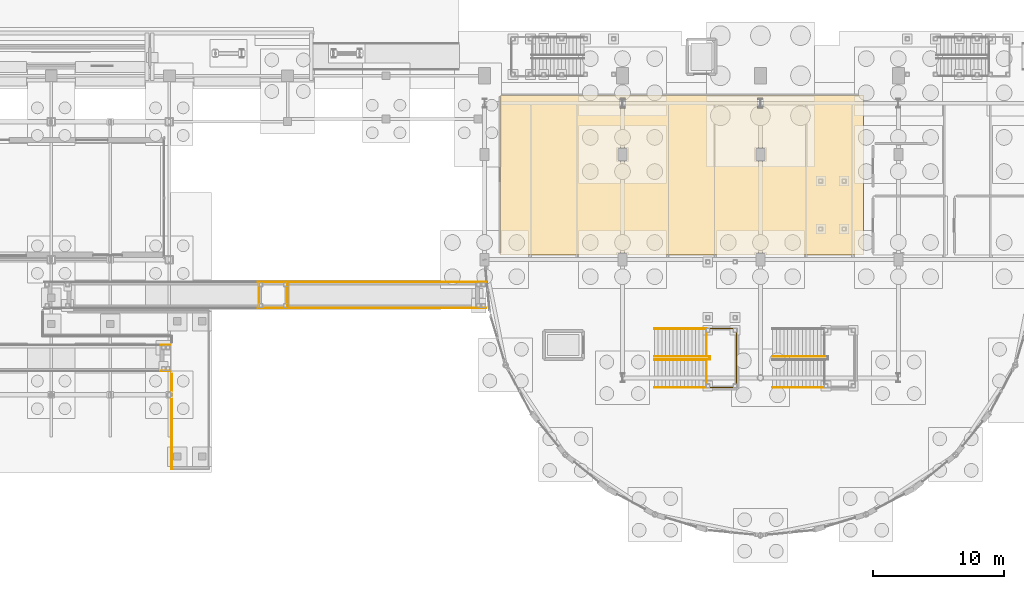
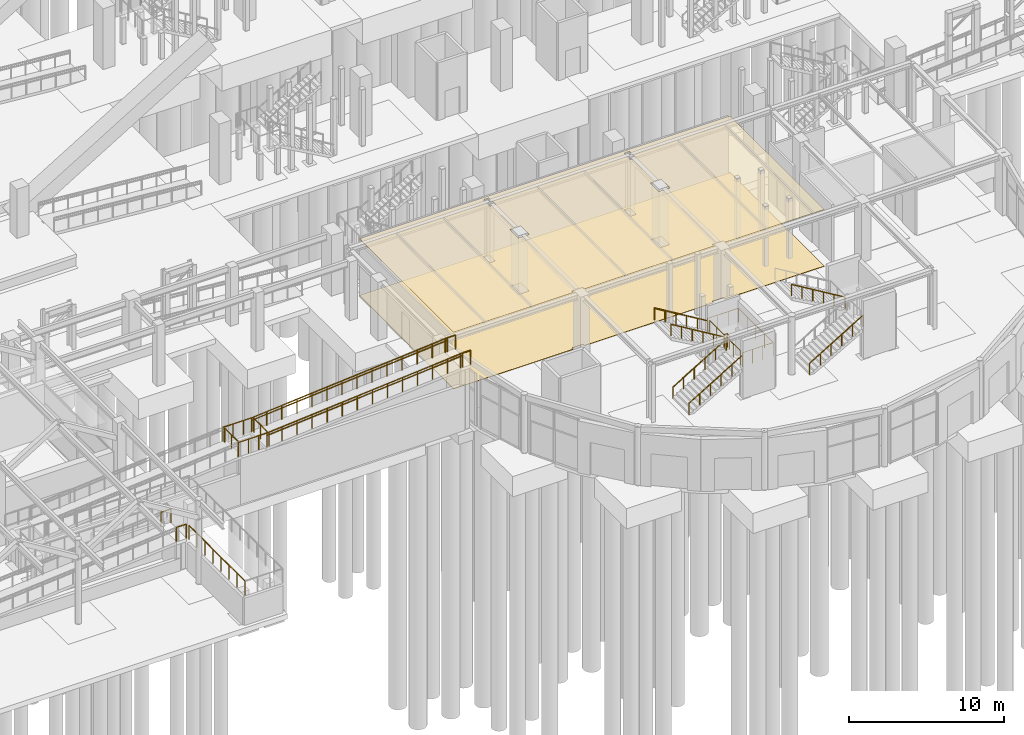
# One storey, part 151 of 160: 21 railings, 2 coverings.
"""IFC4 building model written with IfcOpenShell, lengths in metres."""

from ifc_helpers import new_model, si_unit, direction, frame, origin, origin_2d, place, context, subcontext, project, spatial, polyline, circle, outline, extrude, material, layer, layer_set, type_object, element, save


model = new_model("IFC4")

# Units and contexts
model_context = context("Model", 3, precision=1e-05, world=origin(), true_north=direction((0.0, 1.0)))
body_context = subcontext(model_context, "Body", "Model", "MODEL_VIEW")
ifc_project = project(units=[si_unit("LENGTHUNIT", "METRE"), si_unit("AREAUNIT", "SQUARE_METRE"), si_unit("VOLUMEUNIT", "CUBIC_METRE"), si_unit("PLANEANGLEUNIT", "RADIAN"), si_unit("MASSUNIT", "GRAM", prefix="KILO")], contexts=[model_context])

# Site, building, storey
site_placement = place(None, origin())
site = spatial("IfcSite", under=ifc_project, at=site_placement, CompositionType="ELEMENT")
building_placement = place(site_placement, origin())
building = spatial("IfcBuilding", under=site, at=building_placement, Name="Marlcrest Central Station", CompositionType="ELEMENT")
storey_placement = place(building_placement, origin())
storey = spatial("IfcBuildingStorey", under=building, at=storey_placement, Name="L00", CompositionType="ELEMENT", Elevation=0.0)

# Coverings
ifc_material_1 = material(Name="Perforated acoustic mineral-fibre ceiling")
ifc_layer_1 = layer(ifc_material_1, 0.02490234375, Name="CV-CLG")
ifc_layer_set_1 = layer_set([ifc_layer_1], Name="Perforated acoustic mineral-fibre ceiling")
covering_type_1 = type_object("IfcCoveringType", Name="CV-CLG", PredefinedType="CEILING", material=ifc_layer_set_1)
covering_1_placement = place(storey_placement, frame((0.0, 0.0, 4.47509765625)))
element("IfcCovering", 1, at=covering_1_placement, inside=storey, type_object=covering_type_1, Name="cov-clg-0030", PredefinedType="CEILING", context=body_context, shape_type="SweptSolid", body=[
    extrude(outline(polyline([(108.409912109375, 23.034912109375), (107.590087890625, 23.034912109375), (107.590087890625, 22.860107421875), (97.909912109375, 22.860107421875), (97.909912109375, 23.034912109375), (97.090087890625, 23.034912109375), (97.090087890625, 22.860107421875), (88.159912109375, 22.860107421875), (88.159912109375, 35.0400390625), (115.840087890625, 35.0400390625), (115.840087890625, 22.860107421875), (108.409912109375, 22.860107421875), (108.409912109375, 23.034912109375)]), holes=[polyline([(97.909912109375, 29.965087890625), (97.909912109375, 31.034912109375), (97.090087890625, 31.034912109375), (97.090087890625, 29.965087890625), (97.909912109375, 29.965087890625)]), polyline([(107.590087890625, 29.965087890625), (108.409912109375, 29.965087890625), (108.409912109375, 31.034912109375), (107.590087890625, 31.034912109375), (107.590087890625, 29.965087890625)]), polyline([(97.2900390625, 34.81005859375), (97.2900390625, 33.989990234375), (97.7099609375, 33.989990234375), (97.7099609375, 34.81005859375), (97.2900390625, 34.81005859375)]), polyline([(108.2099609375, 34.81005859375), (107.7900390625, 34.81005859375), (107.7900390625, 33.989990234375), (108.2099609375, 33.989990234375), (108.2099609375, 34.81005859375)])]), origin(), (0.0, 0.0, 1.0), 0.02490234375),
])
ifc_material_2 = material(Name="Polished terrazzo and tactile transit flooring")
ifc_layer_2 = layer(ifc_material_2, 0.030029296875, Name="CV-FLR")
ifc_layer_set_2 = layer_set([ifc_layer_2], Name="Polished terrazzo and tactile transit flooring")
covering_type_2 = type_object("IfcCoveringType", Name="CV-FLR", PredefinedType="FLOORING", material=ifc_layer_set_2)
covering_2_placement = place(storey_placement, origin())
element("IfcCovering", 2, at=covering_2_placement, inside=storey, type_object=covering_type_2, Name="cov-flr-0031", PredefinedType="FLOORING", context=body_context, shape_type="SweptSolid", body=[
    extrude(outline(polyline([(108.409912109375, 23.034912109375), (107.590087890625, 23.034912109375), (107.590087890625, 22.860107421875), (97.909912109375, 22.860107421875), (97.909912109375, 23.034912109375), (97.090087890625, 23.034912109375), (97.090087890625, 22.860107421875), (88.159912109375, 22.860107421875), (88.159912109375, 35.0400390625), (115.840087890625, 35.0400390625), (115.840087890625, 22.860107421875), (108.409912109375, 22.860107421875), (108.409912109375, 23.034912109375)]), holes=[polyline([(97.909912109375, 29.965087890625), (97.909912109375, 31.034912109375), (97.090087890625, 31.034912109375), (97.090087890625, 29.965087890625), (97.909912109375, 29.965087890625)]), polyline([(107.590087890625, 29.965087890625), (108.409912109375, 29.965087890625), (108.409912109375, 31.034912109375), (107.590087890625, 31.034912109375), (107.590087890625, 29.965087890625)]), polyline([(97.2900390625, 34.81005859375), (97.2900390625, 33.989990234375), (97.7099609375, 33.989990234375), (97.7099609375, 34.81005859375), (97.2900390625, 34.81005859375)]), polyline([(108.2099609375, 34.81005859375), (107.7900390625, 34.81005859375), (107.7900390625, 33.989990234375), (108.2099609375, 33.989990234375), (108.2099609375, 34.81005859375)])]), origin(), (0.0, 0.0, 1.0), 0.030029296875),
])

# Railings
ifc_material_3 = material(Name="Galvanized painted steel balustrade", Category="steel")
railing_type_1 = type_object("IfcRailingType", Name="GR-01", PredefinedType="GUARDRAIL", material=ifc_material_3)
for number, where, name in (
    (3, (62.35009765625, 14.010009765625, 2.39990234375), "hr-L00-00288"),
    (4, (62.35009765625, 15.989990234375, 2.39990234375), "hr-L00-00289"),
):
    element("IfcRailing", number, at=place(storey_placement, frame(where)), inside=storey, type_object=railing_type_1, Name=name, PredefinedType="GUARDRAIL", context=body_context, shape_type="SweptSolid", body=[
        extrude(circle(Radius=0.02392578125, at=origin_2d()), frame((0.0, 0.0, 1.09619140625), z_axis=(1.0, 0.0, 0.0), x_axis=(0.0, 1.0, 0.0)), (0.0, 0.0, 1.0), 0.75),
        extrude(circle(Radius=0.02099609375, at=origin_2d()), origin(), (0.0, 0.0, 1.0), 1.072021484375),
        extrude(circle(Radius=0.02099609375, at=origin_2d()), frame((0.75, 0.0, 0.0)), (0.0, 0.0, 1.0), 1.072021484375),
    ])
for number, where, name in (
    (5, (69.75, 18.81005859375, 3.60009765625), "hr-L00-00300"),
    (6, (69.75, 20.7900390625, 3.60009765625), "hr-L00-00301"),
):
    element("IfcRailing", number, at=place(storey_placement, frame(where)), inside=storey, type_object=railing_type_1, Name=name, PredefinedType="GUARDRAIL", context=body_context, shape_type="SweptSolid", body=[
        extrude(circle(Radius=0.02392578125, at=origin_2d()), frame((0.0, 0.0, 1.09619140625), z_axis=(1.0, 0.0, 0.0), x_axis=(0.0, 1.0, 0.0)), (0.0, 0.0, 1.0), 2.300048828125),
        extrude(circle(Radius=0.02099609375, at=origin_2d()), origin(), (0.0, 0.0, 1.0), 1.072021484375),
        extrude(circle(Radius=0.02099609375, at=origin_2d()), frame((0.7666015625, 0.0, 0.0)), (0.0, 0.0, 1.0), 1.072021484375),
        extrude(circle(Radius=0.02099609375, at=origin_2d()), frame((1.533447265625, 0.0, 0.0)), (0.0, 0.0, 1.0), 1.072021484375),
        extrude(circle(Radius=0.02099609375, at=origin_2d()), frame((2.300048828125, 0.0, 0.0)), (0.0, 0.0, 1.0), 1.072021484375),
    ])
for number, where, name in (
    (7, (86.35009765625, 18.81005859375, 4.800048828125), "hr-L00-00302"),
    (8, (86.35009765625, 20.7900390625, 4.800048828125), "hr-L00-00303"),
):
    element("IfcRailing", number, at=place(storey_placement, frame(where)), inside=storey, type_object=railing_type_1, Name=name, PredefinedType="GUARDRAIL", context=body_context, shape_type="SweptSolid", body=[
        extrude(circle(Radius=0.02392578125, at=origin_2d()), frame((0.0, 0.0, 1.09619140625), z_axis=(1.0, 0.0, 0.0), x_axis=(0.0, 1.0, 0.0)), (0.0, 0.0, 1.0), 0.75),
        extrude(circle(Radius=0.02099609375, at=origin_2d()), origin(), (0.0, 0.0, 1.0), 1.072021484375),
        extrude(circle(Radius=0.02099609375, at=origin_2d()), frame((0.75, 0.0, 0.0)), (0.0, 0.0, 1.0), 1.072021484375),
    ])
railing_1_placement = place(storey_placement, frame((71.89990234375, 18.81005859375, 3.60009765625)))
element("IfcRailing", 9, at=railing_1_placement, inside=storey, type_object=railing_type_1, Name="hr-L00-00309", PredefinedType="GUARDRAIL", context=body_context, shape_type="SweptSolid", body=[
    extrude(circle(Radius=0.02392578125, at=origin_2d()), frame((0.0, 0.0, 1.09619140625), z_axis=(0.996639590384, 0.0, 0.081911701728), x_axis=(0.0, 1.0, 0.0)), (0.0, 0.0, 1.0), 14.6494140625),
    extrude(circle(Radius=0.02099609375, at=origin_2d()), origin(), (0.0, 0.0, 1.0), 1.072021484375),
    extrude(circle(Radius=0.02099609375, at=origin_2d()), frame((1.123046875, 0.0, 0.09228515625)), (0.0, 0.0, 1.0), 1.072021484375),
    extrude(circle(Radius=0.02099609375, at=origin_2d()), frame((2.24609375, 0.0, 0.1845703125)), (0.0, 0.0, 1.0), 1.072021484375),
    extrude(circle(Radius=0.02099609375, at=origin_2d()), frame((3.369140625, 0.0, 0.27685546875)), (0.0, 0.0, 1.0), 1.072021484375),
    extrude(circle(Radius=0.02099609375, at=origin_2d()), frame((4.492431640625, 0.0, 0.369140625)), (0.0, 0.0, 1.0), 1.072021484375),
    extrude(circle(Radius=0.02099609375, at=origin_2d()), frame((5.615478515625, 0.0, 0.46142578125)), (0.0, 0.0, 1.0), 1.072021484375),
    extrude(circle(Radius=0.02099609375, at=origin_2d()), frame((6.738525390625, 0.0, 0.5537109375)), (0.0, 0.0, 1.0), 1.072021484375),
    extrude(circle(Radius=0.02099609375, at=origin_2d()), frame((7.861572265625, 0.0, 0.646240234375)), (0.0, 0.0, 1.0), 1.072021484375),
    extrude(circle(Radius=0.02099609375, at=origin_2d()), frame((8.984619140625, 0.0, 0.738525390625)), (0.0, 0.0, 1.0), 1.072021484375),
    extrude(circle(Radius=0.02099609375, at=origin_2d()), frame((10.107666015625, 0.0, 0.830810546875)), (0.0, 0.0, 1.0), 1.072021484375),
    extrude(circle(Radius=0.02099609375, at=origin_2d()), frame((11.23095703125, 0.0, 0.923095703125)), (0.0, 0.0, 1.0), 1.072021484375),
    extrude(circle(Radius=0.02099609375, at=origin_2d()), frame((12.35400390625, 0.0, 1.015380859375)), (0.0, 0.0, 1.0), 1.072021484375),
    extrude(circle(Radius=0.02099609375, at=origin_2d()), frame((13.47705078125, 0.0, 1.107666015625)), (0.0, 0.0, 1.0), 1.072021484375),
    extrude(circle(Radius=0.02099609375, at=origin_2d()), frame((14.60009765625, 0.0, 1.199951171875)), (0.0, 0.0, 1.0), 1.072021484375),
])
railing_2_placement = place(storey_placement, frame((71.89990234375, 20.7900390625, 3.60009765625)))
element("IfcRailing", 10, at=railing_2_placement, inside=storey, type_object=railing_type_1, Name="hr-L00-00311", PredefinedType="GUARDRAIL", context=body_context, shape_type="SweptSolid", body=[
    extrude(circle(Radius=0.02392578125, at=origin_2d()), frame((0.0, 0.0, 1.09619140625), z_axis=(0.996639590384, 0.0, 0.081911701728), x_axis=(0.0, 1.0, 0.0)), (0.0, 0.0, 1.0), 14.6494140625),
    extrude(circle(Radius=0.02099609375, at=origin_2d()), origin(), (0.0, 0.0, 1.0), 1.072021484375),
    extrude(circle(Radius=0.02099609375, at=origin_2d()), frame((1.123046875, 0.0, 0.09228515625)), (0.0, 0.0, 1.0), 1.072021484375),
    extrude(circle(Radius=0.02099609375, at=origin_2d()), frame((2.24609375, 0.0, 0.1845703125)), (0.0, 0.0, 1.0), 1.072021484375),
    extrude(circle(Radius=0.02099609375, at=origin_2d()), frame((3.369140625, 0.0, 0.27685546875)), (0.0, 0.0, 1.0), 1.072021484375),
    extrude(circle(Radius=0.02099609375, at=origin_2d()), frame((4.492431640625, 0.0, 0.369140625)), (0.0, 0.0, 1.0), 1.072021484375),
    extrude(circle(Radius=0.02099609375, at=origin_2d()), frame((5.615478515625, 0.0, 0.46142578125)), (0.0, 0.0, 1.0), 1.072021484375),
    extrude(circle(Radius=0.02099609375, at=origin_2d()), frame((6.738525390625, 0.0, 0.5537109375)), (0.0, 0.0, 1.0), 1.072021484375),
    extrude(circle(Radius=0.02099609375, at=origin_2d()), frame((7.861572265625, 0.0, 0.646240234375)), (0.0, 0.0, 1.0), 1.072021484375),
    extrude(circle(Radius=0.02099609375, at=origin_2d()), frame((8.984619140625, 0.0, 0.738525390625)), (0.0, 0.0, 1.0), 1.072021484375),
    extrude(circle(Radius=0.02099609375, at=origin_2d()), frame((10.107666015625, 0.0, 0.830810546875)), (0.0, 0.0, 1.0), 1.072021484375),
    extrude(circle(Radius=0.02099609375, at=origin_2d()), frame((11.23095703125, 0.0, 0.923095703125)), (0.0, 0.0, 1.0), 1.072021484375),
    extrude(circle(Radius=0.02099609375, at=origin_2d()), frame((12.35400390625, 0.0, 1.015380859375)), (0.0, 0.0, 1.0), 1.072021484375),
    extrude(circle(Radius=0.02099609375, at=origin_2d()), frame((13.47705078125, 0.0, 1.107666015625)), (0.0, 0.0, 1.0), 1.072021484375),
    extrude(circle(Radius=0.02099609375, at=origin_2d()), frame((14.60009765625, 0.0, 1.199951171875)), (0.0, 0.0, 1.0), 1.072021484375),
])
railing_3_placement = place(storey_placement, frame((63.179931640625, 6.56005859375, 2.39990234375)))
element("IfcRailing", 11, at=railing_3_placement, inside=storey, type_object=railing_type_1, Name="hr-L00-00371", PredefinedType="GUARDRAIL", context=body_context, shape_type="SweptSolid", body=[
    extrude(circle(Radius=0.02392578125, at=origin_2d()), frame((0.0, 0.0, 1.09619140625), z_axis=(0.0, 1.0, 0.0), x_axis=(-1.0, 0.0, 0.0)), (0.0, 0.0, 1.0), 7.239990234375),
    extrude(circle(Radius=0.02099609375, at=origin_2d()), origin(), (0.0, 0.0, 1.0), 1.072021484375),
    extrude(circle(Radius=0.02099609375, at=origin_2d()), frame((0.0, 1.0341796875, 0.0)), (0.0, 0.0, 1.0), 1.072021484375),
    extrude(circle(Radius=0.02099609375, at=origin_2d()), frame((0.0, 2.068603515625, 0.0)), (0.0, 0.0, 1.0), 1.072021484375),
    extrude(circle(Radius=0.02099609375, at=origin_2d()), frame((0.0, 3.102783203125, 0.0)), (0.0, 0.0, 1.0), 1.072021484375),
    extrude(circle(Radius=0.02099609375, at=origin_2d()), frame((0.0, 4.13720703125, 0.0)), (0.0, 0.0, 1.0), 1.072021484375),
    extrude(circle(Radius=0.02099609375, at=origin_2d()), frame((0.0, 5.17138671875, 0.0)), (0.0, 0.0, 1.0), 1.072021484375),
    extrude(circle(Radius=0.02099609375, at=origin_2d()), frame((0.0, 6.205810546875, 0.0)), (0.0, 0.0, 1.0), 1.072021484375),
    extrude(circle(Radius=0.02099609375, at=origin_2d()), frame((0.0, 7.239990234375, 0.0)), (0.0, 0.0, 1.0), 1.072021484375),
])
railing_4_placement = place(storey_placement, frame((69.81005859375, 18.949951171875, 3.60009765625)))
element("IfcRailing", 12, at=railing_4_placement, inside=storey, type_object=railing_type_1, Name="hr-L00-00612", PredefinedType="GUARDRAIL", context=body_context, shape_type="SweptSolid", body=[
    extrude(circle(Radius=0.02392578125, at=origin_2d()), frame((0.0, 0.0, 1.09619140625), z_axis=(0.0, 1.0, 0.0), x_axis=(-1.0, 0.0, 0.0)), (0.0, 0.0, 1.0), 1.699951171875),
    extrude(circle(Radius=0.02099609375, at=origin_2d()), origin(), (0.0, 0.0, 1.0), 1.072021484375),
    extrude(circle(Radius=0.02099609375, at=origin_2d()), frame((0.0, 0.85009765625, 0.0)), (0.0, 0.0, 1.0), 1.072021484375),
    extrude(circle(Radius=0.02099609375, at=origin_2d()), frame((0.0, 1.699951171875, 0.0)), (0.0, 0.0, 1.0), 1.072021484375),
])
railing_5_placement = place(storey_placement, frame((71.989990234375, 20.64990234375, 3.60009765625)))
element("IfcRailing", 13, at=railing_5_placement, inside=storey, type_object=railing_type_1, Name="hr-L00-00613", PredefinedType="GUARDRAIL", context=body_context, shape_type="SweptSolid", body=[
    extrude(circle(Radius=0.02392578125, at=origin_2d()), frame((0.0, 0.0, 1.09619140625), z_axis=(0.0, -1.0, 0.0), x_axis=(1.0, 0.0, 0.0)), (0.0, 0.0, 1.0), 1.699951171875),
    extrude(circle(Radius=0.02099609375, at=origin_2d()), origin(), (0.0, 0.0, 1.0), 1.072021484375),
    extrude(circle(Radius=0.02099609375, at=origin_2d()), frame((0.0, -0.85009765625, 0.0)), (0.0, 0.0, 1.0), 1.072021484375),
    extrude(circle(Radius=0.02099609375, at=origin_2d()), frame((0.0, -1.699951171875, 0.0)), (0.0, 0.0, 1.0), 1.072021484375),
])
ifc_material_4 = material(Name="Stainless steel and laminated glass concourse balustrade", Category="steel")
railing_type_2 = type_object("IfcRailingType", Name="GR-02", PredefinedType="BALUSTRADE", material=ifc_material_4)
railing_6_placement = place(storey_placement, frame((103.8701171875, 12.760009765625, 2.39990234375)))
element("IfcRailing", 14, at=railing_6_placement, inside=storey, type_object=railing_type_2, Name="hr-L00-00175", PredefinedType="BALUSTRADE", context=body_context, shape_type="SweptSolid", body=[
    extrude(circle(Radius=0.02392578125, at=origin_2d()), frame((0.0, 0.0, 1.09619140625), z_axis=(1.0, 0.0, 0.0), x_axis=(0.0, 1.0, 0.0)), (0.0, 0.0, 1.0), 2.31982421875),
    extrude(circle(Radius=0.02392578125, at=origin_2d()), frame((2.31982421875, 0.0, 1.09619140625), z_axis=(0.0, 1.0, 0.0), x_axis=(-1.0, 0.0, 0.0)), (0.0, 0.0, 1.0), 4.47998046875),
    extrude(circle(Radius=0.02392578125, at=origin_2d()), frame((2.31982421875, 4.47998046875, 1.09619140625), z_axis=(-1.0, 0.0, 0.0), x_axis=(0.0, -1.0, 0.0)), (0.0, 0.0, 1.0), 2.31982421875),
    extrude(circle(Radius=0.02099609375, at=origin_2d()), origin(), (0.0, 0.0, 1.0), 1.072021484375),
    extrude(circle(Radius=0.02099609375, at=origin_2d()), frame((0.773193359375, 0.0, 0.0)), (0.0, 0.0, 1.0), 1.072021484375),
    extrude(circle(Radius=0.02099609375, at=origin_2d()), frame((1.546630859375, 0.0, 0.0)), (0.0, 0.0, 1.0), 1.072021484375),
    extrude(circle(Radius=0.02099609375, at=origin_2d()), frame((2.31982421875, 0.0, 0.0)), (0.0, 0.0, 1.0), 1.072021484375),
    extrude(circle(Radius=0.02099609375, at=origin_2d()), frame((2.31982421875, 1.1201171875, 0.0)), (0.0, 0.0, 1.0), 1.072021484375),
    extrude(circle(Radius=0.02099609375, at=origin_2d()), frame((2.31982421875, 2.239990234375, 0.0)), (0.0, 0.0, 1.0), 1.072021484375),
    extrude(circle(Radius=0.02099609375, at=origin_2d()), frame((2.31982421875, 3.35986328125, 0.0)), (0.0, 0.0, 1.0), 1.072021484375),
    extrude(circle(Radius=0.02099609375, at=origin_2d()), frame((2.31982421875, 4.47998046875, 0.0)), (0.0, 0.0, 1.0), 1.072021484375),
    extrude(circle(Radius=0.02099609375, at=origin_2d()), frame((1.546630859375, 4.47998046875, 0.0)), (0.0, 0.0, 1.0), 1.072021484375),
    extrude(circle(Radius=0.02099609375, at=origin_2d()), frame((0.773193359375, 4.47998046875, 0.0)), (0.0, 0.0, 1.0), 1.072021484375),
    extrude(circle(Radius=0.02099609375, at=origin_2d()), frame((0.0, 4.47998046875, 0.0)), (0.0, 0.0, 1.0), 1.072021484375),
])
railing_7_placement = place(storey_placement, frame((103.889892578125, 13.010009765625, 2.39990234375)))
element("IfcRailing", 15, at=railing_7_placement, inside=storey, type_object=railing_type_2, Name="hr-L00-00589", PredefinedType="BALUSTRADE", context=body_context, shape_type="SweptSolid", body=[
    extrude(circle(Radius=0.02392578125, at=origin_2d()), frame((0.0, 0.0, 1.09619140625), z_axis=(0.0, 1.0, 0.0), x_axis=(-1.0, 0.0, 0.0)), (0.0, 0.0, 1.0), 1.869873046875),
    extrude(circle(Radius=0.02392578125, at=origin_2d()), frame((0.0, 1.869873046875, 1.09619140625), z_axis=(1.0, 0.0, 0.0), x_axis=(0.0, 1.0, 0.0)), (0.0, 0.0, 1.0), 0.25),
    extrude(circle(Radius=0.02392578125, at=origin_2d()), frame((0.25, 1.869873046875, 1.09619140625), z_axis=(0.0, 1.0, 0.0), x_axis=(-1.0, 0.0, 0.0)), (0.0, 0.0, 1.0), 0.240234375),
    extrude(circle(Radius=0.02392578125, at=origin_2d()), frame((0.25, 2.110107421875, 1.09619140625), z_axis=(-1.0, 0.0, 0.0), x_axis=(0.0, -1.0, 0.0)), (0.0, 0.0, 1.0), 0.25),
    extrude(circle(Radius=0.02392578125, at=origin_2d()), frame((0.0, 2.110107421875, 1.09619140625), z_axis=(0.0, 1.0, 0.0), x_axis=(-1.0, 0.0, 0.0)), (0.0, 0.0, 1.0), 1.869873046875),
    extrude(circle(Radius=0.02099609375, at=origin_2d()), origin(), (0.0, 0.0, 1.0), 1.072021484375),
    extrude(circle(Radius=0.02099609375, at=origin_2d()), frame((0.0, 0.93505859375, 0.0)), (0.0, 0.0, 1.0), 1.072021484375),
    extrude(circle(Radius=0.02099609375, at=origin_2d()), frame((0.0, 1.869873046875, 0.0)), (0.0, 0.0, 1.0), 1.072021484375),
    extrude(circle(Radius=0.02099609375, at=origin_2d()), frame((0.25, 1.869873046875, 0.0)), (0.0, 0.0, 1.0), 1.072021484375),
    extrude(circle(Radius=0.02099609375, at=origin_2d()), frame((0.25, 2.110107421875, 0.0)), (0.0, 0.0, 1.0), 1.072021484375),
    extrude(circle(Radius=0.02099609375, at=origin_2d()), frame((0.0, 2.110107421875, 0.0)), (0.0, 0.0, 1.0), 1.072021484375),
    extrude(circle(Radius=0.02099609375, at=origin_2d()), frame((0.0, 3.044921875, 0.0)), (0.0, 0.0, 1.0), 1.072021484375),
    extrude(circle(Radius=0.02099609375, at=origin_2d()), frame((0.0, 3.97998046875, 0.0)), (0.0, 0.0, 1.0), 1.072021484375),
])
ifc_material_5 = material(Name="Brushed stainless steel handrail", Category="steel")
railing_type_3 = type_object("IfcRailingType", Name="HR-01", PredefinedType="HANDRAIL", material=ifc_material_5)
railing_8_placement = place(storey_placement, frame((99.919921875, 12.77001953125, 0.0)))
element("IfcRailing", 16, at=railing_8_placement, inside=storey, type_object=railing_type_3, Name="hr-L00-00171", PredefinedType="HANDRAIL", context=body_context, shape_type="SweptSolid", body=[
    extrude(circle(Radius=0.02392578125, at=origin_2d()), frame((0.0, 0.0, 0.89599609375), z_axis=(0.856932605607, 0.0, 0.515428471708), x_axis=(0.0, 1.0, 0.0)), (0.0, 0.0, 1.0), 4.65625),
    extrude(circle(Radius=0.02099609375, at=origin_2d()), origin(), (0.0, 0.0, 1.0), 0.871826171875),
    extrude(circle(Radius=0.02099609375, at=origin_2d()), frame((0.798095703125, 0.0, 0.47998046875)), (0.0, 0.0, 1.0), 0.871826171875),
    extrude(circle(Radius=0.02099609375, at=origin_2d()), frame((1.595947265625, 0.0, 0.9599609375)), (0.0, 0.0, 1.0), 0.871826171875),
    extrude(circle(Radius=0.02099609375, at=origin_2d()), frame((2.39404296875, 0.0, 1.43994140625)), (0.0, 0.0, 1.0), 0.871826171875),
    extrude(circle(Radius=0.02099609375, at=origin_2d()), frame((3.19189453125, 0.0, 1.919921875)), (0.0, 0.0, 1.0), 0.871826171875),
    extrude(circle(Radius=0.02099609375, at=origin_2d()), frame((3.989990234375, 0.0, 2.39990234375)), (0.0, 0.0, 1.0), 0.871826171875),
])
railing_9_placement = place(storey_placement, frame((103.909912109375, 15.1298828125, 2.39990234375)))
element("IfcRailing", 17, at=railing_9_placement, inside=storey, type_object=railing_type_3, Name="hr-L00-00172", PredefinedType="HANDRAIL", context=body_context, shape_type="SweptSolid", body=[
    extrude(circle(Radius=0.02392578125, at=origin_2d()), frame((0.0, 0.0, 0.89599609375), z_axis=(-0.856909445827, 0.0, 0.515466974357), x_axis=(0.0, -1.0, 0.0)), (0.0, 0.0, 1.0), 4.65625),
    extrude(circle(Radius=0.02099609375, at=origin_2d()), origin(), (0.0, 0.0, 1.0), 0.871826171875),
    extrude(circle(Radius=0.02099609375, at=origin_2d()), frame((-0.798095703125, 0.0, 0.47998046875)), (0.0, 0.0, 1.0), 0.871826171875),
    extrude(circle(Radius=0.02099609375, at=origin_2d()), frame((-1.595947265625, 0.0, 0.9599609375)), (0.0, 0.0, 1.0), 0.871826171875),
    extrude(circle(Radius=0.02099609375, at=origin_2d()), frame((-2.39404296875, 0.0, 1.440185546875)), (0.0, 0.0, 1.0), 0.871826171875),
    extrude(circle(Radius=0.02099609375, at=origin_2d()), frame((-3.19189453125, 0.0, 1.920166015625)), (0.0, 0.0, 1.0), 0.871826171875),
    extrude(circle(Radius=0.02099609375, at=origin_2d()), frame((-3.989990234375, 0.0, 2.400146484375)), (0.0, 0.0, 1.0), 0.871826171875),
])
railing_10_placement = place(storey_placement, frame((99.919921875, 14.8701171875, 0.0)))
element("IfcRailing", 18, at=railing_10_placement, inside=storey, type_object=railing_type_3, Name="hr-L00-00173", PredefinedType="HANDRAIL", context=body_context, shape_type="SweptSolid", body=[
    extrude(circle(Radius=0.02392578125, at=origin_2d()), frame((0.0, 0.0, 0.89599609375), z_axis=(0.856932605607, 0.0, 0.515428471708), x_axis=(0.0, 1.0, 0.0)), (0.0, 0.0, 1.0), 4.65625),
    extrude(circle(Radius=0.02099609375, at=origin_2d()), origin(), (0.0, 0.0, 1.0), 0.871826171875),
    extrude(circle(Radius=0.02099609375, at=origin_2d()), frame((0.798095703125, 0.0, 0.47998046875)), (0.0, 0.0, 1.0), 0.871826171875),
    extrude(circle(Radius=0.02099609375, at=origin_2d()), frame((1.595947265625, 0.0, 0.9599609375)), (0.0, 0.0, 1.0), 0.871826171875),
    extrude(circle(Radius=0.02099609375, at=origin_2d()), frame((2.39404296875, 0.0, 1.43994140625)), (0.0, 0.0, 1.0), 0.871826171875),
    extrude(circle(Radius=0.02099609375, at=origin_2d()), frame((3.19189453125, 0.0, 1.919921875)), (0.0, 0.0, 1.0), 0.871826171875),
    extrude(circle(Radius=0.02099609375, at=origin_2d()), frame((3.989990234375, 0.0, 2.39990234375)), (0.0, 0.0, 1.0), 0.871826171875),
])
railing_11_placement = place(storey_placement, frame((103.909912109375, 17.22998046875, 2.39990234375)))
element("IfcRailing", 19, at=railing_11_placement, inside=storey, type_object=railing_type_3, Name="hr-L00-00174", PredefinedType="HANDRAIL", context=body_context, shape_type="SweptSolid", body=[
    extrude(circle(Radius=0.02392578125, at=origin_2d()), frame((0.0, 0.0, 0.89599609375), z_axis=(-0.856909445827, 0.0, 0.515466974357), x_axis=(0.0, -1.0, 0.0)), (0.0, 0.0, 1.0), 4.65625),
    extrude(circle(Radius=0.02099609375, at=origin_2d()), origin(), (0.0, 0.0, 1.0), 0.871826171875),
    extrude(circle(Radius=0.02099609375, at=origin_2d()), frame((-0.798095703125, 0.0, 0.47998046875)), (0.0, 0.0, 1.0), 0.871826171875),
    extrude(circle(Radius=0.02099609375, at=origin_2d()), frame((-1.595947265625, 0.0, 0.9599609375)), (0.0, 0.0, 1.0), 0.871826171875),
    extrude(circle(Radius=0.02099609375, at=origin_2d()), frame((-2.39404296875, 0.0, 1.440185546875)), (0.0, 0.0, 1.0), 0.871826171875),
    extrude(circle(Radius=0.02099609375, at=origin_2d()), frame((-3.19189453125, 0.0, 1.920166015625)), (0.0, 0.0, 1.0), 0.871826171875),
    extrude(circle(Radius=0.02099609375, at=origin_2d()), frame((-3.989990234375, 0.0, 2.400146484375)), (0.0, 0.0, 1.0), 0.871826171875),
])
railing_12_placement = place(storey_placement, frame((108.919921875, 12.77001953125, 0.0)))
element("IfcRailing", 20, at=railing_12_placement, inside=storey, type_object=railing_type_3, Name="hr-L00-00176", PredefinedType="HANDRAIL", context=body_context, shape_type="SweptSolid", body=[
    extrude(circle(Radius=0.02392578125, at=origin_2d()), frame((0.0, 0.0, 0.89599609375), z_axis=(0.856932605607, 0.0, 0.515428471708), x_axis=(0.0, 1.0, 0.0)), (0.0, 0.0, 1.0), 4.65625),
    extrude(circle(Radius=0.02099609375, at=origin_2d()), origin(), (0.0, 0.0, 1.0), 0.871826171875),
    extrude(circle(Radius=0.02099609375, at=origin_2d()), frame((0.798095703125, 0.0, 0.47998046875)), (0.0, 0.0, 1.0), 0.871826171875),
    extrude(circle(Radius=0.02099609375, at=origin_2d()), frame((1.595947265625, 0.0, 0.9599609375)), (0.0, 0.0, 1.0), 0.871826171875),
    extrude(circle(Radius=0.02099609375, at=origin_2d()), frame((2.39404296875, 0.0, 1.43994140625)), (0.0, 0.0, 1.0), 0.871826171875),
    extrude(circle(Radius=0.02099609375, at=origin_2d()), frame((3.19189453125, 0.0, 1.919921875)), (0.0, 0.0, 1.0), 0.871826171875),
    extrude(circle(Radius=0.02099609375, at=origin_2d()), frame((3.989990234375, 0.0, 2.39990234375)), (0.0, 0.0, 1.0), 0.871826171875),
])
railing_13_placement = place(storey_placement, frame((112.909912109375, 15.1298828125, 2.39990234375)))
element("IfcRailing", 21, at=railing_13_placement, inside=storey, type_object=railing_type_3, Name="hr-L00-00177", PredefinedType="HANDRAIL", context=body_context, shape_type="SweptSolid", body=[
    extrude(circle(Radius=0.02392578125, at=origin_2d()), frame((0.0, 0.0, 0.89599609375), z_axis=(-0.856909445827, 0.0, 0.515466974357), x_axis=(0.0, -1.0, 0.0)), (0.0, 0.0, 1.0), 4.65625),
    extrude(circle(Radius=0.02099609375, at=origin_2d()), origin(), (0.0, 0.0, 1.0), 0.871826171875),
    extrude(circle(Radius=0.02099609375, at=origin_2d()), frame((-0.798095703125, 0.0, 0.47998046875)), (0.0, 0.0, 1.0), 0.871826171875),
    extrude(circle(Radius=0.02099609375, at=origin_2d()), frame((-1.595947265625, 0.0, 0.9599609375)), (0.0, 0.0, 1.0), 0.871826171875),
    extrude(circle(Radius=0.02099609375, at=origin_2d()), frame((-2.39404296875, 0.0, 1.440185546875)), (0.0, 0.0, 1.0), 0.871826171875),
    extrude(circle(Radius=0.02099609375, at=origin_2d()), frame((-3.19189453125, 0.0, 1.920166015625)), (0.0, 0.0, 1.0), 0.871826171875),
    extrude(circle(Radius=0.02099609375, at=origin_2d()), frame((-3.989990234375, 0.0, 2.400146484375)), (0.0, 0.0, 1.0), 0.871826171875),
])
railing_14_placement = place(storey_placement, frame((71.89990234375, 18.81005859375, 3.60009765625)))
element("IfcRailing", 22, at=railing_14_placement, inside=storey, type_object=railing_type_3, Name="hr-L00-00308", PredefinedType="HANDRAIL", context=body_context, shape_type="SweptSolid", body=[
    extrude(circle(Radius=0.02392578125, at=origin_2d()), frame((0.0, 0.0, 0.89599609375), z_axis=(0.996639590384, 0.0, 0.081911701728), x_axis=(0.0, 1.0, 0.0)), (0.0, 0.0, 1.0), 14.6494140625),
    extrude(circle(Radius=0.02099609375, at=origin_2d()), origin(), (0.0, 0.0, 1.0), 0.871826171875),
    extrude(circle(Radius=0.02099609375, at=origin_2d()), frame((1.123046875, 0.0, 0.09228515625)), (0.0, 0.0, 1.0), 0.871826171875),
    extrude(circle(Radius=0.02099609375, at=origin_2d()), frame((2.24609375, 0.0, 0.1845703125)), (0.0, 0.0, 1.0), 0.871826171875),
    extrude(circle(Radius=0.02099609375, at=origin_2d()), frame((3.369140625, 0.0, 0.27685546875)), (0.0, 0.0, 1.0), 0.871826171875),
    extrude(circle(Radius=0.02099609375, at=origin_2d()), frame((4.492431640625, 0.0, 0.369140625)), (0.0, 0.0, 1.0), 0.871826171875),
    extrude(circle(Radius=0.02099609375, at=origin_2d()), frame((5.615478515625, 0.0, 0.46142578125)), (0.0, 0.0, 1.0), 0.871826171875),
    extrude(circle(Radius=0.02099609375, at=origin_2d()), frame((6.738525390625, 0.0, 0.5537109375)), (0.0, 0.0, 1.0), 0.871826171875),
    extrude(circle(Radius=0.02099609375, at=origin_2d()), frame((7.861572265625, 0.0, 0.646240234375)), (0.0, 0.0, 1.0), 0.871826171875),
    extrude(circle(Radius=0.02099609375, at=origin_2d()), frame((8.984619140625, 0.0, 0.738525390625)), (0.0, 0.0, 1.0), 0.871826171875),
    extrude(circle(Radius=0.02099609375, at=origin_2d()), frame((10.107666015625, 0.0, 0.830810546875)), (0.0, 0.0, 1.0), 0.871826171875),
    extrude(circle(Radius=0.02099609375, at=origin_2d()), frame((11.23095703125, 0.0, 0.923095703125)), (0.0, 0.0, 1.0), 0.871826171875),
    extrude(circle(Radius=0.02099609375, at=origin_2d()), frame((12.35400390625, 0.0, 1.015380859375)), (0.0, 0.0, 1.0), 0.871826171875),
    extrude(circle(Radius=0.02099609375, at=origin_2d()), frame((13.47705078125, 0.0, 1.107666015625)), (0.0, 0.0, 1.0), 0.871826171875),
    extrude(circle(Radius=0.02099609375, at=origin_2d()), frame((14.60009765625, 0.0, 1.199951171875)), (0.0, 0.0, 1.0), 0.871826171875),
])
railing_15_placement = place(storey_placement, frame((71.89990234375, 20.7900390625, 3.60009765625)))
element("IfcRailing", 23, at=railing_15_placement, inside=storey, type_object=railing_type_3, Name="hr-L00-00310", PredefinedType="HANDRAIL", context=body_context, shape_type="SweptSolid", body=[
    extrude(circle(Radius=0.02392578125, at=origin_2d()), frame((0.0, 0.0, 0.89599609375), z_axis=(0.996639590384, 0.0, 0.081911701728), x_axis=(0.0, 1.0, 0.0)), (0.0, 0.0, 1.0), 14.6494140625),
    extrude(circle(Radius=0.02099609375, at=origin_2d()), origin(), (0.0, 0.0, 1.0), 0.871826171875),
    extrude(circle(Radius=0.02099609375, at=origin_2d()), frame((1.123046875, 0.0, 0.09228515625)), (0.0, 0.0, 1.0), 0.871826171875),
    extrude(circle(Radius=0.02099609375, at=origin_2d()), frame((2.24609375, 0.0, 0.1845703125)), (0.0, 0.0, 1.0), 0.871826171875),
    extrude(circle(Radius=0.02099609375, at=origin_2d()), frame((3.369140625, 0.0, 0.27685546875)), (0.0, 0.0, 1.0), 0.871826171875),
    extrude(circle(Radius=0.02099609375, at=origin_2d()), frame((4.492431640625, 0.0, 0.369140625)), (0.0, 0.0, 1.0), 0.871826171875),
    extrude(circle(Radius=0.02099609375, at=origin_2d()), frame((5.615478515625, 0.0, 0.46142578125)), (0.0, 0.0, 1.0), 0.871826171875),
    extrude(circle(Radius=0.02099609375, at=origin_2d()), frame((6.738525390625, 0.0, 0.5537109375)), (0.0, 0.0, 1.0), 0.871826171875),
    extrude(circle(Radius=0.02099609375, at=origin_2d()), frame((7.861572265625, 0.0, 0.646240234375)), (0.0, 0.0, 1.0), 0.871826171875),
    extrude(circle(Radius=0.02099609375, at=origin_2d()), frame((8.984619140625, 0.0, 0.738525390625)), (0.0, 0.0, 1.0), 0.871826171875),
    extrude(circle(Radius=0.02099609375, at=origin_2d()), frame((10.107666015625, 0.0, 0.830810546875)), (0.0, 0.0, 1.0), 0.871826171875),
    extrude(circle(Radius=0.02099609375, at=origin_2d()), frame((11.23095703125, 0.0, 0.923095703125)), (0.0, 0.0, 1.0), 0.871826171875),
    extrude(circle(Radius=0.02099609375, at=origin_2d()), frame((12.35400390625, 0.0, 1.015380859375)), (0.0, 0.0, 1.0), 0.871826171875),
    extrude(circle(Radius=0.02099609375, at=origin_2d()), frame((13.47705078125, 0.0, 1.107666015625)), (0.0, 0.0, 1.0), 0.871826171875),
    extrude(circle(Radius=0.02099609375, at=origin_2d()), frame((14.60009765625, 0.0, 1.199951171875)), (0.0, 0.0, 1.0), 0.871826171875),
])

save(model, "model.ifc")
